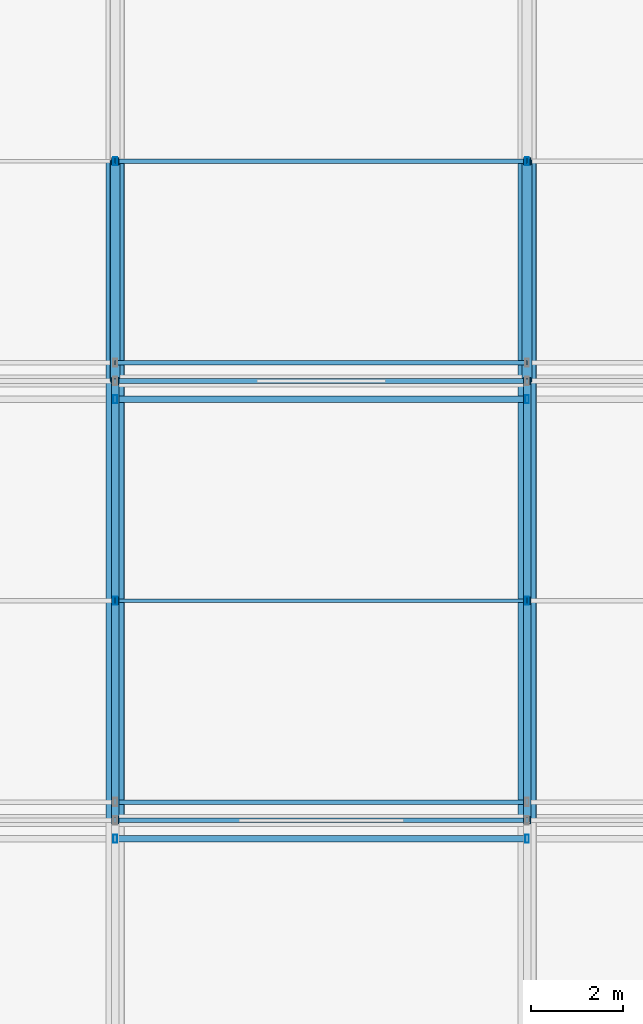
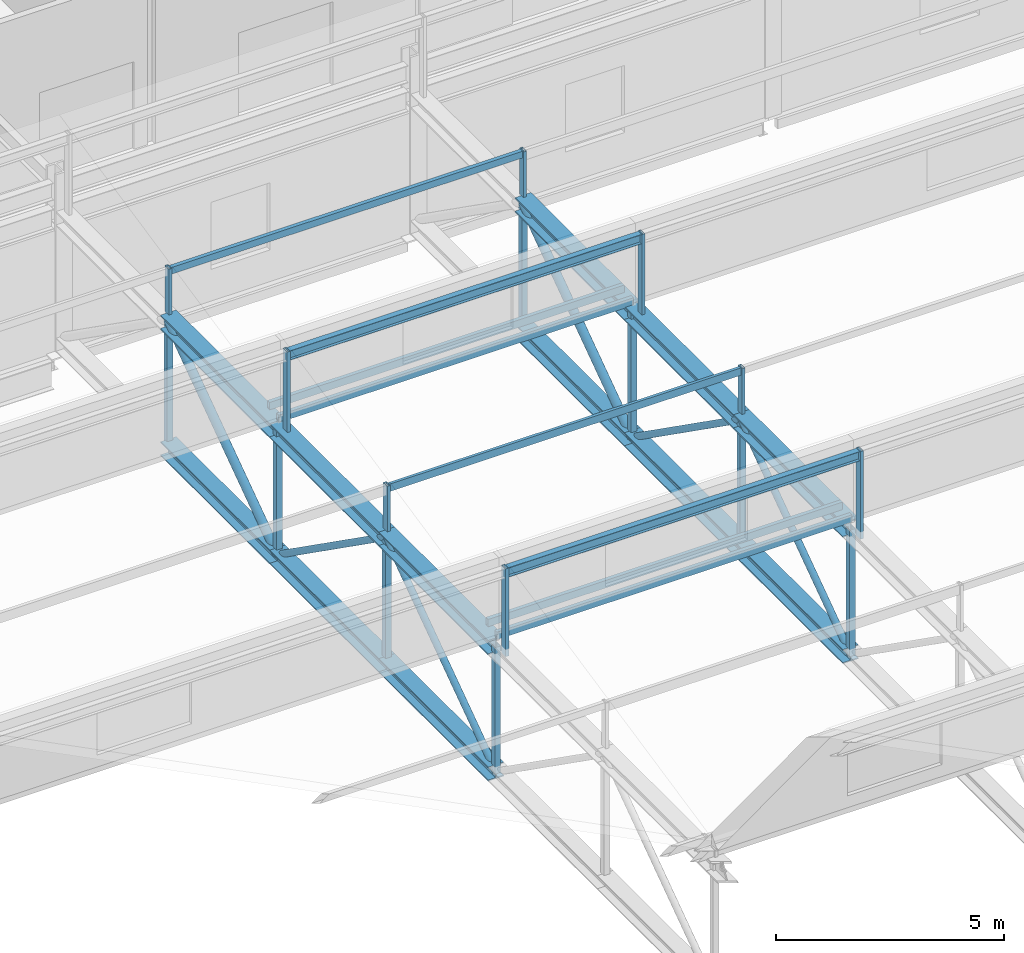
# One storey, part 48 of 136: 30 members, 12 beams.
"""IFC4 building model written with IfcOpenShell, lengths in metres."""

from ifc_helpers import new_model, si_unit, direction, frame, origin, origin_2d, place, context, subcontext, project, spatial, hollow_rectangle, hollow_circle, i_section, u_section, extrude, material, material_profile, profile_set, type_object, element, save


model = new_model("IFC4")

# Units and contexts
model_context = context("Model", 3, precision=1e-05, world=origin(), true_north=direction((0.0, 1.0)))
body_context = subcontext(model_context, "Body", "Model", "MODEL_VIEW")
ifc_project = project(units=[si_unit("LENGTHUNIT", "METRE"), si_unit("AREAUNIT", "SQUARE_METRE"), si_unit("VOLUMEUNIT", "CUBIC_METRE"), si_unit("PLANEANGLEUNIT", "RADIAN"), si_unit("MASSUNIT", "GRAM", prefix="KILO")], contexts=[model_context])

# Site, building, storey
site_placement = place(None, origin())
site = spatial("IfcSite", under=ifc_project, at=site_placement, CompositionType="ELEMENT")
building_placement = place(site_placement, origin())
building = spatial("IfcBuilding", under=site, at=building_placement, Name="Kisiwana Market Hall", CompositionType="ELEMENT")
storey_placement = place(building_placement, frame((0.0, 0.0, 16.800048828125)))
storey = spatial("IfcBuildingStorey", under=building, at=storey_placement, Name="L03", CompositionType="ELEMENT", Elevation=16.800048828125)

# Beams
ifc_material_1 = material(Name="Steel S355", Category="steel")
ifc_material_profile_1 = material_profile(ifc_material_1, i_section(OverallWidth=0.394775390625, OverallDepth=0.381103515625, WebThickness=0.018310546875, FlangeThickness=0.0302734375, at=origin_2d()), Name="UC 356x406x235")
ifc_profile_set_1 = profile_set([ifc_material_profile_1], Name="Steel S355")
beam_type_1 = type_object("IfcBeamType", Name="BM-TRUSS-BOT", PredefinedType="USERDEFINED", material=ifc_profile_set_1)
beam_1_placement = place(storey_placement, frame((81.0, 64.800048828125, 0.22998046875), z_axis=(0.0, 1.0, 0.0), x_axis=(-1.0, 0.0, 0.0)))
element("IfcBeam", 1, at=beam_1_placement, inside=storey, type_object=beam_type_1, Name="TR-03 BC panel 7 B-1224", ObjectType="ROOF TRUSS", PredefinedType="USERDEFINED", context=body_context, shape_type="SweptSolid", body=[
    extrude(i_section(OverallWidth=0.394775390625, OverallDepth=0.381103515625, WebThickness=0.018310546875, FlangeThickness=0.0302734375, at=origin_2d()), origin(), (0.0, 0.0, 1.0), 4.800048828125),
])
beam_2_placement = place(storey_placement, frame((81.0, 69.60009765625, 0.22998046875), z_axis=(0.0, 1.0, 0.0), x_axis=(-1.0, 0.0, 0.0)))
element("IfcBeam", 2, at=beam_2_placement, inside=storey, type_object=beam_type_1, Name="TR-03 BC panel 8 B-1225", ObjectType="ROOF TRUSS", PredefinedType="USERDEFINED", context=body_context, shape_type="SweptSolid", body=[
    extrude(i_section(OverallWidth=0.394775390625, OverallDepth=0.381103515625, WebThickness=0.018310546875, FlangeThickness=0.0302734375, at=origin_2d()), origin(), (0.0, 0.0, 1.0), 4.7998046875),
])
for number, where, z_axis, x_axis, name in (
    (3, (81.0, 74.39990234375, 0.22998046875), (0.0, 1.0, 0.0), (-1.0, 0.0, 0.0), "TR-03 BC panel 9 B-1226"),
    (4, (90.0, 64.800048828125, 0.22998046875), (0.0, 1.0, 0.0), (-1.0, 0.0, 0.0), "TR-04 BC panel 7 B-1244"),
):
    element("IfcBeam", number, at=place(storey_placement, frame(where, z_axis=z_axis, x_axis=x_axis)), inside=storey, type_object=beam_type_1, Name=name, ObjectType="ROOF TRUSS", PredefinedType="USERDEFINED", context=body_context, shape_type="SweptSolid", body=[
        extrude(i_section(OverallWidth=0.394775390625, OverallDepth=0.381103515625, WebThickness=0.018310546875, FlangeThickness=0.0302734375, at=origin_2d()), origin(), (0.0, 0.0, 1.0), 4.800048828125),
    ])
beam_3_placement = place(storey_placement, frame((90.0, 69.60009765625, 0.22998046875), z_axis=(0.0, 1.0, 0.0), x_axis=(-1.0, 0.0, 0.0)))
element("IfcBeam", 5, at=beam_3_placement, inside=storey, type_object=beam_type_1, Name="TR-04 BC panel 8 B-1245", ObjectType="ROOF TRUSS", PredefinedType="USERDEFINED", context=body_context, shape_type="SweptSolid", body=[
    extrude(i_section(OverallWidth=0.394775390625, OverallDepth=0.381103515625, WebThickness=0.018310546875, FlangeThickness=0.0302734375, at=origin_2d()), origin(), (0.0, 0.0, 1.0), 4.7998046875),
])
beam_4_placement = place(storey_placement, frame((90.0, 74.39990234375, 0.22998046875), z_axis=(0.0, 1.0, 0.0), x_axis=(-1.0, 0.0, 0.0)))
element("IfcBeam", 6, at=beam_4_placement, inside=storey, type_object=beam_type_1, Name="TR-04 BC panel 9 B-1246", ObjectType="ROOF TRUSS", PredefinedType="USERDEFINED", context=body_context, shape_type="SweptSolid", body=[
    extrude(i_section(OverallWidth=0.394775390625, OverallDepth=0.381103515625, WebThickness=0.018310546875, FlangeThickness=0.0302734375, at=origin_2d()), origin(), (0.0, 0.0, 1.0), 4.800048828125),
])
ifc_material_2 = material(Name="Steel S355", Category="steel")
ifc_material_profile_2 = material_profile(ifc_material_2, i_section(OverallWidth=0.39892578125, OverallDepth=0.3935546875, WebThickness=0.022705078125, FlangeThickness=0.03662109375, at=origin_2d()), Name="UC 356x406x287")
ifc_profile_set_2 = profile_set([ifc_material_profile_2], Name="Steel S355")
beam_type_2 = type_object("IfcBeamType", Name="BM-TRUSS-TOP", PredefinedType="USERDEFINED", material=ifc_profile_set_2)
beam_5_placement = place(storey_placement, frame((81.0, 64.800048828125, 3.619873046875), z_axis=(0.0, 1.0, 0.0), x_axis=(-1.0, 0.0, 0.0)))
element("IfcBeam", 7, at=beam_5_placement, inside=storey, type_object=beam_type_2, Name="TR-03 TC panel 7 B-1234", ObjectType="ROOF TRUSS", PredefinedType="USERDEFINED", context=body_context, shape_type="SweptSolid", body=[
    extrude(i_section(OverallWidth=0.39892578125, OverallDepth=0.3935546875, WebThickness=0.022705078125, FlangeThickness=0.03662109375, at=origin_2d()), origin(), (0.0, 0.0, 1.0), 4.800048828125),
])
beam_6_placement = place(storey_placement, frame((81.0, 69.60009765625, 3.619873046875), z_axis=(0.0, 1.0, 0.0), x_axis=(-1.0, 0.0, 0.0)))
element("IfcBeam", 8, at=beam_6_placement, inside=storey, type_object=beam_type_2, Name="TR-03 TC panel 8 B-1235", ObjectType="ROOF TRUSS", PredefinedType="USERDEFINED", context=body_context, shape_type="SweptSolid", body=[
    extrude(i_section(OverallWidth=0.39892578125, OverallDepth=0.3935546875, WebThickness=0.022705078125, FlangeThickness=0.03662109375, at=origin_2d()), origin(), (0.0, 0.0, 1.0), 4.7998046875),
])
for number, where, z_axis, x_axis, name in (
    (9, (81.0, 74.39990234375, 3.619873046875), (0.0, 1.0, 0.0), (-1.0, 0.0, 0.0), "TR-03 TC panel 9 B-1236"),
    (10, (90.0, 64.800048828125, 3.619873046875), (0.0, 1.0, 0.0), (-1.0, 0.0, 0.0), "TR-04 TC panel 7 B-1254"),
):
    element("IfcBeam", number, at=place(storey_placement, frame(where, z_axis=z_axis, x_axis=x_axis)), inside=storey, type_object=beam_type_2, Name=name, ObjectType="ROOF TRUSS", PredefinedType="USERDEFINED", context=body_context, shape_type="SweptSolid", body=[
        extrude(i_section(OverallWidth=0.39892578125, OverallDepth=0.3935546875, WebThickness=0.022705078125, FlangeThickness=0.03662109375, at=origin_2d()), origin(), (0.0, 0.0, 1.0), 4.800048828125),
    ])
beam_7_placement = place(storey_placement, frame((90.0, 69.60009765625, 3.619873046875), z_axis=(0.0, 1.0, 0.0), x_axis=(-1.0, 0.0, 0.0)))
element("IfcBeam", 11, at=beam_7_placement, inside=storey, type_object=beam_type_2, Name="TR-04 TC panel 8 B-1255", ObjectType="ROOF TRUSS", PredefinedType="USERDEFINED", context=body_context, shape_type="SweptSolid", body=[
    extrude(i_section(OverallWidth=0.39892578125, OverallDepth=0.3935546875, WebThickness=0.022705078125, FlangeThickness=0.03662109375, at=origin_2d()), origin(), (0.0, 0.0, 1.0), 4.7998046875),
])
beam_8_placement = place(storey_placement, frame((90.0, 74.39990234375, 3.619873046875), z_axis=(0.0, 1.0, 0.0), x_axis=(-1.0, 0.0, 0.0)))
element("IfcBeam", 12, at=beam_8_placement, inside=storey, type_object=beam_type_2, Name="TR-04 TC panel 9 B-1256", ObjectType="ROOF TRUSS", PredefinedType="USERDEFINED", context=body_context, shape_type="SweptSolid", body=[
    extrude(i_section(OverallWidth=0.39892578125, OverallDepth=0.3935546875, WebThickness=0.022705078125, FlangeThickness=0.03662109375, at=origin_2d()), origin(), (0.0, 0.0, 1.0), 4.800048828125),
])

# Members
ifc_material_3 = material(Name="Steel S355", Category="steel")
ifc_material_profile_3 = material_profile(ifc_material_3, hollow_rectangle(XDim=0.080078125, YDim=0.179931640625, WallThickness=0.00634765625, at=origin_2d()), Name="RHS 180x80x6.3")
ifc_profile_set_3 = profile_set([ifc_material_profile_3], Name="Steel S355")
member_type_1 = type_object("IfcMemberType", Name="MB-CAN-STRUT", PredefinedType="STRUT", material=ifc_profile_set_3)
for number, where, z_axis, x_axis, name in (
    (13, (81.0, 64.39990234375, 3.619873046875), (0.0, 0.0, 1.0), (1.0, 0.0, 0.0), "Sawtooth raker post 250 M-0279"),
    (14, (90.0, 64.39990234375, 3.619873046875), (0.0, 0.0, 1.0), (1.0, 0.0, 0.0), "Sawtooth raker post 253 M-0282"),
    (15, (81.0, 74.0, 3.619873046875), (0.0, 0.0, 1.0), (1.0, 0.0, 0.0), "Sawtooth raker post 295 M-0303"),
    (16, (90.0, 74.0, 3.619873046875), (0.0, 0.0, 1.0), (1.0, 0.0, 0.0), "Sawtooth raker post 298 M-0306"),
):
    element("IfcMember", number, at=place(storey_placement, frame(where, z_axis=z_axis, x_axis=x_axis)), inside=storey, type_object=member_type_1, Name=name, PredefinedType="STRUT", context=body_context, shape_type="SweptSolid", body=[
        extrude(hollow_rectangle(XDim=0.080078125, YDim=0.179931640625, WallThickness=0.00634765625, at=origin_2d()), origin(), (0.0, 0.0, 1.0), 2.355712890625),
    ])
for number, where, z_axis, x_axis, name in (
    (17, (81.0, 69.60009765625, 3.619873046875), (0.0, 0.0, 1.0), (1.0, 0.0, 0.0), "Sawtooth mid-slope raker post 46 M-0077"),
    (18, (90.0, 69.60009765625, 3.619873046875), (0.0, 0.0, 1.0), (1.0, 0.0, 0.0), "Sawtooth mid-slope raker post 47 M-0078"),
    (19, (81.0, 79.199951171875, 3.619873046875), (0.0, 0.0, 1.0), (1.0, 0.0, 0.0), "Sawtooth mid-slope raker post 61 M-0085"),
    (20, (90.0, 79.199951171875, 3.619873046875), (0.0, 0.0, 1.0), (1.0, 0.0, 0.0), "Sawtooth mid-slope raker post 62 M-0086"),
):
    element("IfcMember", number, at=place(storey_placement, frame(where, z_axis=z_axis, x_axis=x_axis)), inside=storey, type_object=member_type_1, Name=name, PredefinedType="STRUT", context=body_context, shape_type="SweptSolid", body=[
        extrude(hollow_rectangle(XDim=0.080078125, YDim=0.179931640625, WallThickness=0.00634765625, at=origin_2d()), origin(), (0.0, 0.0, 1.0), 1.42041015625),
    ])
ifc_material_4 = material(Name="Steel S355", Category="steel")
ifc_material_profile_4 = material_profile(ifc_material_4, u_section(Depth=0.199951171875, FlangeWidth=0.074951171875, WebThickness=0.006103515625, FlangeThickness=0.012451171875, at=origin_2d()), Name="PFC 200x75x23")
ifc_profile_set_4 = profile_set([ifc_material_profile_4], Name="Steel S355")
member_type_2 = type_object("IfcMemberType", Name="MB-PURL-PFC200", PredefinedType="PURLIN", material=ifc_profile_set_4)
member_1_placement = place(storey_placement, frame((81.0, 69.60009765625, 4.936279296875), z_axis=(1.0, 0.0, 0.0), x_axis=(0.0, 1.0, 0.0)))
element("IfcMember", 21, at=member_1_placement, inside=storey, type_object=member_type_2, Name="Sawtooth mid-slope roof purlin 54 M-0114", PredefinedType="PURLIN", context=body_context, shape_type="SweptSolid", body=[
    extrude(u_section(Depth=0.199951171875, FlangeWidth=0.074951171875, WebThickness=0.006103515625, FlangeThickness=0.012451171875, at=origin_2d()), origin(), (0.0, 0.0, 1.0), 9.0),
])
ifc_material_5 = material(Name="Steel S355", Category="steel")
ifc_material_profile_5 = material_profile(ifc_material_5, hollow_rectangle(XDim=0.10009765625, YDim=0.179931640625, WallThickness=0.008056640625, at=origin_2d()), Name="RHS 180x100x8")
ifc_profile_set_5 = profile_set([ifc_material_profile_5], Name="Steel S355")
member_type_3 = type_object("IfcMemberType", Name="MB-PURL-RHS180", PredefinedType="PURLIN", material=ifc_profile_set_5)
member_2_placement = place(storey_placement, frame((81.0, 79.199951171875, 4.9462890625), z_axis=(1.0, 0.0, 0.0), x_axis=(0.0, 1.0, 0.0)))
element("IfcMember", 22, at=member_2_placement, inside=storey, type_object=member_type_3, Name="Sawtooth mid-slope roof purlin 69 M-0121", PredefinedType="PURLIN", context=body_context, shape_type="SweptSolid", body=[
    extrude(hollow_rectangle(XDim=0.10009765625, YDim=0.179931640625, WallThickness=0.008056640625, at=origin_2d()), origin(), (0.0, 0.0, 1.0), 9.0),
])
ifc_material_6 = material(Name="Steel S355", Category="steel")
ifc_material_profile_6 = material_profile(ifc_material_6, hollow_rectangle(XDim=0.10009765625, YDim=0.199951171875, WallThickness=0.008056640625, at=origin_2d()), Name="RHS 200x100x8.0")
ifc_profile_set_6 = profile_set([ifc_material_profile_6], Name="Steel S355")
member_type_4 = type_object("IfcMemberType", Name="MB-ROOF-PURLIN1", PredefinedType="PURLIN", material=ifc_profile_set_6)
for number, where, z_axis, x_axis, name in (
    (23, (81.0, 64.800048828125, 3.90087890625), (1.0, 0.0, 0.0), (0.0, 1.0, 0.0), "Sawtooth roof purlin 275 M-0176"),
    (24, (81.0, 65.199951171875, 4.0009765625), (1.0, 0.0, 0.0), (0.0, 1.0, 0.0), "Sawtooth roof purlin 318 M-0195"),
    (25, (81.0, 74.39990234375, 3.90087890625), (1.0, 0.0, 0.0), (0.0, 1.0, 0.0), "Sawtooth roof purlin 320 M-0197"),
    (26, (81.0, 74.800048828125, 4.0009765625), (1.0, 0.0, 0.0), (0.0, 1.0, 0.0), "Sawtooth roof purlin 353 M-0214"),
):
    element("IfcMember", number, at=place(storey_placement, frame(where, z_axis=z_axis, x_axis=x_axis)), inside=storey, type_object=member_type_4, Name=name, PredefinedType="PURLIN", context=body_context, shape_type="SweptSolid", body=[
        extrude(hollow_rectangle(XDim=0.10009765625, YDim=0.199951171875, WallThickness=0.008056640625, at=origin_2d()), origin(), (0.0, 0.0, 1.0), 9.0),
    ])
ifc_material_7 = material(Name="Steel S355", Category="steel")
ifc_material_profile_7 = material_profile(ifc_material_7, i_section(OverallWidth=0.146484375, OverallDepth=0.256103515625, WebThickness=0.00634765625, FlangeThickness=0.010986328125, at=origin_2d()), Name="UB 254x146x37")
ifc_profile_set_7 = profile_set([ifc_material_profile_7], Name="Steel S355")
member_type_5 = type_object("IfcMemberType", Name="MB-ROOF-PURLIN2", PredefinedType="PURLIN", material=ifc_profile_set_7)
for number, where, z_axis, x_axis, name in (
    (27, (81.0, 64.39990234375, 5.843505859375), (1.0, 0.0, 0.0), (0.0, 1.0, 0.0), "Sawtooth roof purlin 274 M-0175"),
    (28, (81.0, 74.0, 5.843505859375), (1.0, 0.0, 0.0), (0.0, 1.0, 0.0), "Sawtooth roof purlin 319 M-0196"),
):
    element("IfcMember", number, at=place(storey_placement, frame(where, z_axis=z_axis, x_axis=x_axis)), inside=storey, type_object=member_type_5, Name=name, PredefinedType="PURLIN", context=body_context, shape_type="SweptSolid", body=[
        extrude(i_section(OverallWidth=0.146484375, OverallDepth=0.256103515625, WebThickness=0.00634765625, FlangeThickness=0.010986328125, at=origin_2d()), origin(), (0.0, 0.0, 1.0), 9.0),
    ])
ifc_material_8 = material(Name="Steel S355", Category="steel")
ifc_material_profile_8 = material_profile(ifc_material_8, hollow_circle(Radius=0.084228515625, WallThickness=0.010009765625, at=origin_2d()), Name="CHS 168.3x10.0")
ifc_profile_set_8 = profile_set([ifc_material_profile_8], Name="Steel S355")
member_type_6 = type_object("IfcMemberType", Name="MB-TR-DIAG168", PredefinedType="BRACE", material=ifc_profile_set_8)
member_3_placement = place(storey_placement, frame((81.0, 64.800048828125, 0.22998046875), z_axis=(0.0, 0.816837735077, 0.576867501732), x_axis=(-1.0, 0.0, 0.0)))
element("IfcMember", 29, at=member_3_placement, inside=storey, type_object=member_type_6, Name="TR-03 diagonal 7 M-0380", PredefinedType="BRACE", context=body_context, shape_type="SweptSolid", body=[
    extrude(hollow_circle(Radius=0.084228515625, WallThickness=0.010009765625, at=origin_2d()), origin(), (0.0, 0.0, 1.0), 5.87646484375),
])
member_4_placement = place(storey_placement, frame((81.0, 69.60009765625, 3.619873046875), z_axis=(0.0, 0.816823908826, -0.576887079046), x_axis=(-1.0, 0.0, 0.0)))
element("IfcMember", 30, at=member_4_placement, inside=storey, type_object=member_type_6, Name="TR-03 diagonal 8 M-0381", PredefinedType="BRACE", context=body_context, shape_type="SweptSolid", body=[
    extrude(hollow_circle(Radius=0.084228515625, WallThickness=0.010009765625, at=origin_2d()), origin(), (0.0, 0.0, 1.0), 5.876220703125),
])
member_5_placement = place(storey_placement, frame((90.0, 64.800048828125, 0.22998046875), z_axis=(0.0, 0.816837735077, 0.576867501732), x_axis=(-1.0, 0.0, 0.0)))
element("IfcMember", 31, at=member_5_placement, inside=storey, type_object=member_type_6, Name="TR-04 diagonal 7 M-0399", PredefinedType="BRACE", context=body_context, shape_type="SweptSolid", body=[
    extrude(hollow_circle(Radius=0.084228515625, WallThickness=0.010009765625, at=origin_2d()), origin(), (0.0, 0.0, 1.0), 5.87646484375),
])
member_6_placement = place(storey_placement, frame((90.0, 69.60009765625, 3.619873046875), z_axis=(0.0, 0.816823908826, -0.576887079046), x_axis=(-1.0, 0.0, 0.0)))
element("IfcMember", 32, at=member_6_placement, inside=storey, type_object=member_type_6, Name="TR-04 diagonal 8 M-0400", PredefinedType="BRACE", context=body_context, shape_type="SweptSolid", body=[
    extrude(hollow_circle(Radius=0.084228515625, WallThickness=0.010009765625, at=origin_2d()), origin(), (0.0, 0.0, 1.0), 5.876220703125),
])
ifc_material_9 = material(Name="Steel S355", Category="steel")
ifc_material_profile_9 = material_profile(ifc_material_9, hollow_circle(Radius=0.109619140625, WallThickness=0.012451171875, at=origin_2d()), Name="CHS 219.1x12.5")
ifc_profile_set_9 = profile_set([ifc_material_profile_9], Name="Steel S355")
member_type_7 = type_object("IfcMemberType", Name="MB-TR-DIAG219", PredefinedType="BRACE", material=ifc_profile_set_9)
for number, where, z_axis, x_axis, name in (
    (33, (81.0, 74.39990234375, 0.22998046875), (0.0, 0.816837735077, 0.576867501732), (-1.0, 0.0, 0.0), "TR-03 diagonal 9 M-0382"),
    (34, (90.0, 74.39990234375, 0.22998046875), (0.0, 0.816837735077, 0.576867501732), (-1.0, 0.0, 0.0), "TR-04 diagonal 9 M-0401"),
):
    element("IfcMember", number, at=place(storey_placement, frame(where, z_axis=z_axis, x_axis=x_axis)), inside=storey, type_object=member_type_7, Name=name, PredefinedType="BRACE", context=body_context, shape_type="SweptSolid", body=[
        extrude(hollow_circle(Radius=0.109619140625, WallThickness=0.012451171875, at=origin_2d()), origin(), (0.0, 0.0, 1.0), 5.87646484375),
    ])
ifc_material_10 = material(Name="Steel S355", Category="steel")
ifc_material_profile_10 = material_profile(ifc_material_10, hollow_rectangle(XDim=0.14990234375, YDim=0.14990234375, WallThickness=0.008056640625, at=origin_2d()), Name="SHS 150x150x8.0")
ifc_profile_set_10 = profile_set([ifc_material_profile_10], Name="Steel S355")
member_type_8 = type_object("IfcMemberType", Name="MB-TR-STRUT200", PredefinedType="STRUT", material=ifc_profile_set_10)
for number, where, z_axis, x_axis, name in (
    (35, (81.0, 64.800048828125, 0.22998046875), (0.0, 0.0, 1.0), (1.0, 0.0, 0.0), "TR-03 vertical strut 7 M-0389"),
    (36, (81.0, 69.60009765625, 0.22998046875), (0.0, 0.0, 1.0), (1.0, 0.0, 0.0), "TR-03 vertical strut 8 M-0390"),
    (37, (81.0, 74.39990234375, 0.22998046875), (0.0, 0.0, 1.0), (1.0, 0.0, 0.0), "TR-03 vertical strut 9 M-0391"),
    (38, (81.0, 79.199951171875, 0.22998046875), (0.0, 0.0, 1.0), (1.0, 0.0, 0.0), "TR-03 vertical strut 10 M-0383"),
    (39, (90.0, 64.800048828125, 0.22998046875), (0.0, 0.0, 1.0), (1.0, 0.0, 0.0), "TR-04 vertical strut 7 M-0408"),
    (40, (90.0, 69.60009765625, 0.22998046875), (0.0, 0.0, 1.0), (1.0, 0.0, 0.0), "TR-04 vertical strut 8 M-0409"),
    (41, (90.0, 74.39990234375, 0.22998046875), (0.0, 0.0, 1.0), (1.0, 0.0, 0.0), "TR-04 vertical strut 9 M-0410"),
    (42, (90.0, 79.199951171875, 0.22998046875), (0.0, 0.0, 1.0), (1.0, 0.0, 0.0), "TR-04 vertical strut 10 M-0402"),
):
    element("IfcMember", number, at=place(storey_placement, frame(where, z_axis=z_axis, x_axis=x_axis)), inside=storey, type_object=member_type_8, Name=name, PredefinedType="STRUT", context=body_context, shape_type="SweptSolid", body=[
        extrude(hollow_rectangle(XDim=0.14990234375, YDim=0.14990234375, WallThickness=0.008056640625, at=origin_2d()), origin(), (0.0, 0.0, 1.0), 3.389892578125),
    ])

save(model, "model.ifc")
